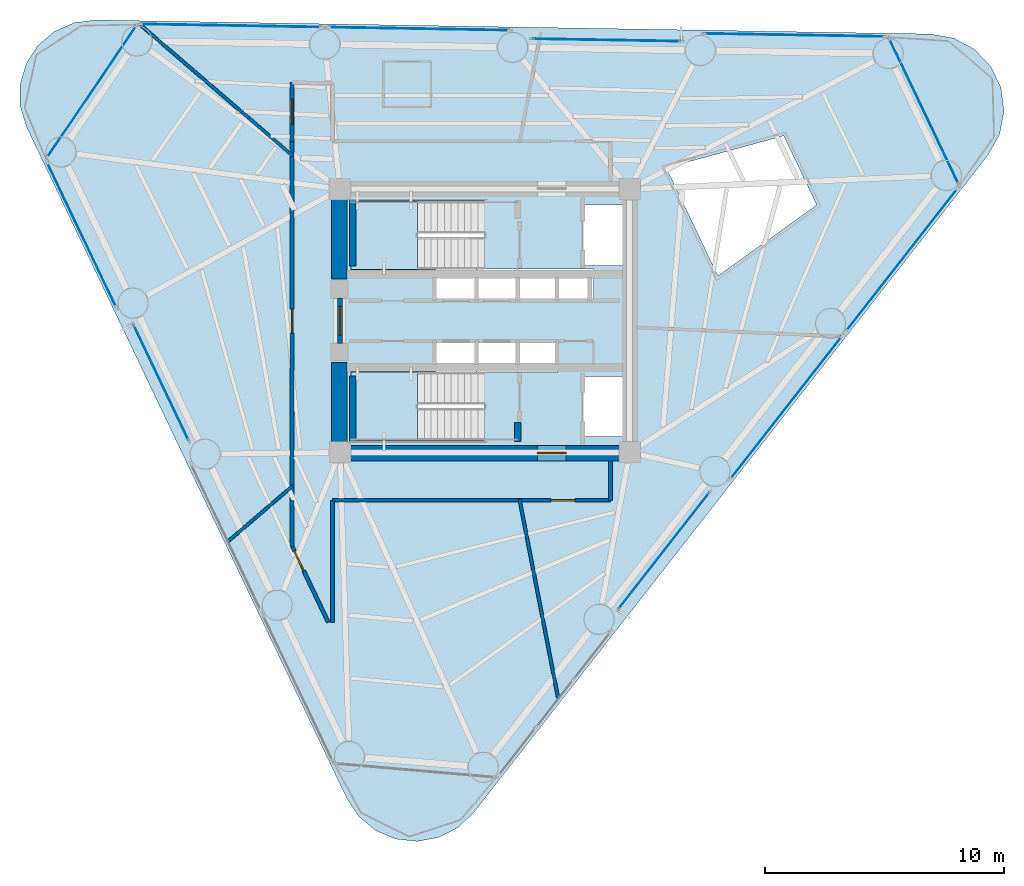
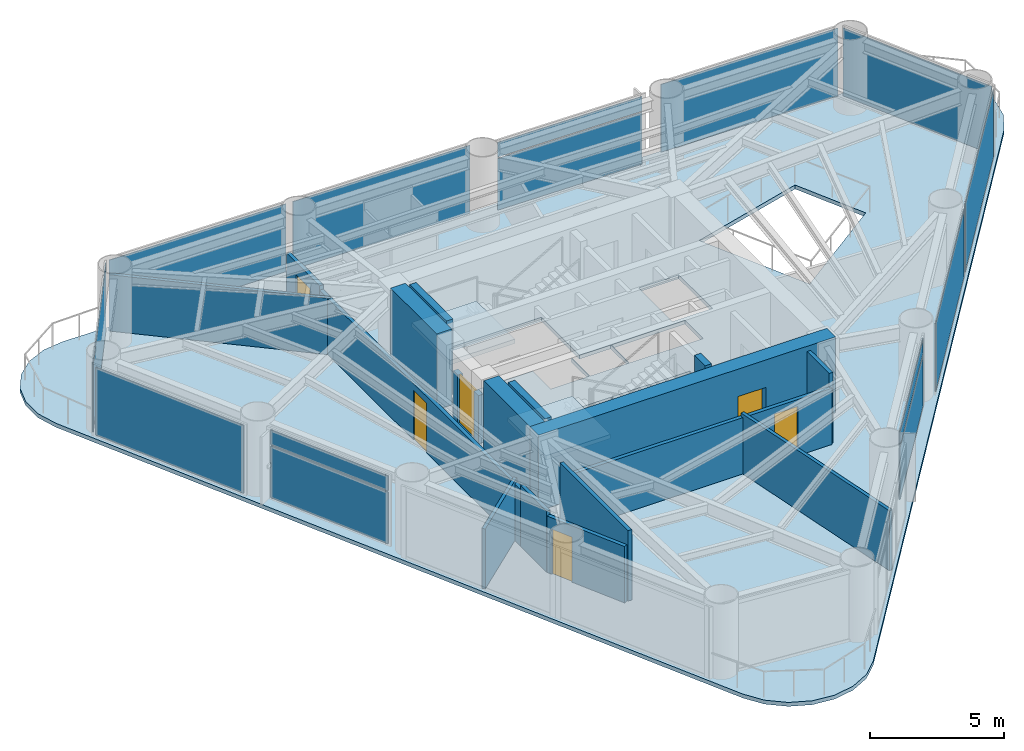
# One storey, part 6 of 11: 17 walls, 14 plates, 6 doors, 3 slabs, 6 openings, 13 elements without a shape of their own.
"""IFC4 building model written with IfcOpenShell, lengths in metres."""

import ifcopenshell
import ifcopenshell.guid

model = None  # the IFC model being written
_history = None  # IfcOwnerHistory: only IFC2X3 demands one
_inside = {}  # id of a spatial element -> (the spatial element, [elements in it])
_under = {}  # id of a project, library or spatial element -> (it, [spatial elements below it])
_declared = {}  # id of a project -> (the project, [libraries it declares])
_typed = {}  # id of a type object -> (the type object, [elements of that type])
_made_of = {}  # id of a material, layer set ... -> (it, [elements and type objects made of it])


def new_model(schema):
    """Start an empty IFC model of exactly this schema.

    Asked for "IFC4X3", IfcOpenShell would pick the latest addendum, in which some entities
    have other attributes; the version numbers below select the first issue.
    IFC2X3 requires an IfcOwnerHistory on every rooted entity: one is made here for all.
    """
    global model, _history
    if schema == "IFC4X3":
        model = ifcopenshell.file(schema_version=(4, 3, 0, 0))
    else:
        model = ifcopenshell.file(schema=schema)
    _inside.clear()
    _under.clear()
    _declared.clear()
    _typed.clear()
    _made_of.clear()
    _history = None
    if model.schema == "IFC2X3":
        org = make("IfcOrganization", Name="unknown")
        user = make(
            "IfcPersonAndOrganization",
            ThePerson=make("IfcPerson", FamilyName="unknown"),
            TheOrganization=org,
        )
        app = make(
            "IfcApplication",
            ApplicationDeveloper=org,
            Version="unknown",
            ApplicationFullName="unknown",
            ApplicationIdentifier="unknown",
        )
        _history = make(
            "IfcOwnerHistory",
            OwningUser=user,
            OwningApplication=app,
            ChangeAction="ADDED",
            CreationDate=0,
        )
    return model


def make(cls, **values):
    """One entity of the class cls with the attributes given. An attribute that is None is left unset."""
    return model.create_entity(
        cls, **{name: value for name, value in values.items() if value is not None}
    )


def rooted(cls, **values):
    """An entity with a GlobalId (a new one), such as an element, a storey or a relation."""
    return make(cls, GlobalId=ifcopenshell.guid.new(), OwnerHistory=_history, **values)


def si_unit(unit_type, name, prefix=None):
    """IfcSIUnit, for example si_unit("LENGTHUNIT", "METRE", prefix="MILLI")."""
    return make("IfcSIUnit", UnitType=unit_type, Prefix=prefix, Name=name)


def assignment(units):
    """IfcUnitAssignment: the units of a project."""
    return None if units is None else make("IfcUnitAssignment", Units=units)


def point(xyz):
    """IfcCartesianPoint."""
    return None if xyz is None else make("IfcCartesianPoint", Coordinates=xyz)


def direction(xyz):
    """IfcDirection."""
    return None if xyz is None else make("IfcDirection", DirectionRatios=xyz)


def frame(location, z_axis=None, x_axis=None):
    """IfcAxis2Placement3D, a coordinate frame: its origin and axes. An axis left out is left unset."""
    return make(
        "IfcAxis2Placement3D",
        Location=point(location),
        Axis=direction(z_axis),
        RefDirection=direction(x_axis),
    )


def frame_2d(location, x_axis=None):
    """IfcAxis2Placement2D, a coordinate frame in the plane: its origin and x axis."""
    return make(
        "IfcAxis2Placement2D", Location=point(location), RefDirection=direction(x_axis)
    )


def origin():
    """The frame at (0, 0, 0) with its axes left unset."""
    return frame((0.0, 0.0, 0.0))


def origin_2d():
    """The frame at (0, 0) in the plane with its x axis left unset."""
    return frame_2d((0.0, 0.0))


def place(relative_to, where):
    """IfcLocalPlacement: puts the frame where relative to a parent placement (None: the world)."""
    return make(
        "IfcLocalPlacement", PlacementRelTo=relative_to, RelativePlacement=where
    )


def context(
    kind, dimensions, precision=None, world=None, true_north=None, identifier=None
):
    """IfcGeometricRepresentationContext, for example the 3D "Model" context."""
    return make(
        "IfcGeometricRepresentationContext",
        ContextIdentifier=identifier,
        ContextType=kind,
        CoordinateSpaceDimension=dimensions,
        Precision=precision,
        WorldCoordinateSystem=world,
        TrueNorth=true_north,
    )


def subcontext(parent, identifier, kind, view, scale=None):
    """IfcGeometricRepresentationSubContext, for example "Body" below "Model"."""
    return make(
        "IfcGeometricRepresentationSubContext",
        ContextIdentifier=identifier,
        ContextType=kind,
        ParentContext=parent,
        TargetScale=scale,
        TargetView=view,
    )


def project(units=None, contexts=None):
    """IfcProject with its units and contexts."""
    return rooted(
        "IfcProject",
        Name="project",
        RepresentationContexts=contexts,
        UnitsInContext=assignment(units),
    )


def spatial(cls, under=None, at=None, **own):
    """A site, building, storey or space (cls), placed at a placement, below another one or the project."""
    s = rooted(cls, ObjectPlacement=at, **own)
    if under is not None:
        _under.setdefault(under.id(), (under, []))[1].append(s)
    return s


def polyline(points):
    """IfcPolyline through the points."""
    return make("IfcPolyline", Points=[point(p) for p in points])


def profile(cls, at=None, kind="AREA", **sizes):
    """A parametric profile (cls). Its sizes go by their IFC names, for example OverallWidth=200.0."""
    return make(cls, ProfileType=kind, Position=at, **sizes)


def rectangle(**sizes):
    """IfcRectangleProfileDef."""
    return profile("IfcRectangleProfileDef", **sizes)


def outline(outer, holes=None, kind="AREA"):
    """IfcArbitraryClosedProfileDef: a profile drawn as a closed curve; with holes, ...WithVoids."""
    if holes is None:
        return make("IfcArbitraryClosedProfileDef", ProfileType=kind, OuterCurve=outer)
    return make(
        "IfcArbitraryProfileDefWithVoids",
        ProfileType=kind,
        OuterCurve=outer,
        InnerCurves=holes,
    )


def extrude(swept, where, along, depth):
    """IfcExtrudedAreaSolid: the profile swept, set in the frame where, extruded along a direction by depth."""
    return make(
        "IfcExtrudedAreaSolid",
        SweptArea=swept,
        Position=where,
        ExtrudedDirection=direction(along),
        Depth=depth,
    )


def shape(context_of_items, identifier, shape_type, items):
    """IfcShapeRepresentation: the items that make up one representation, for example the "Body"."""
    return make(
        "IfcShapeRepresentation",
        ContextOfItems=context_of_items,
        RepresentationIdentifier=identifier,
        RepresentationType=shape_type,
        Items=items,
    )


def source(mapping_origin, context_of_items, identifier, shape_type, items):
    """IfcRepresentationMap: a shape defined once, which mapped items show again and again."""
    return make(
        "IfcRepresentationMap",
        MappingOrigin=mapping_origin,
        MappedRepresentation=shape(context_of_items, identifier, shape_type, items),
    )


def transform(
    local_origin,
    x_axis=None,
    y_axis=None,
    z_axis=None,
    scale=None,
    scale2=None,
    scale3=None,
    uniform=True,
):
    """IfcCartesianTransformationOperator3D, or its non-uniform kind. x_axis, y_axis, z_axis: its Axis1, 2, 3."""
    if uniform:
        return make(
            "IfcCartesianTransformationOperator3D",
            Axis1=direction(x_axis),
            Axis2=direction(y_axis),
            LocalOrigin=point(local_origin),
            Scale=scale,
            Axis3=direction(z_axis),
        )
    return make(
        "IfcCartesianTransformationOperator3DnonUniform",
        Axis1=direction(x_axis),
        Axis2=direction(y_axis),
        LocalOrigin=point(local_origin),
        Scale=scale,
        Axis3=direction(z_axis),
        Scale2=scale2,
        Scale3=scale3,
    )


def mapped(mapping_source, mapping_target):
    """IfcMappedItem: shows the shape of a source again, moved by a transform."""
    return make(
        "IfcMappedItem", MappingSource=mapping_source, MappingTarget=mapping_target
    )


def material(Name=None, Category=None):
    """IfcMaterial."""
    return make("IfcMaterial", Name=Name, Category=Category)


def layer(
    of_material, thickness, ventilated=None, Name=None, Category=None, Priority=None
):
    """IfcMaterialLayer: one layer of a wall or slab, of a material (None: an air gap)."""
    return make(
        "IfcMaterialLayer",
        Material=of_material,
        LayerThickness=thickness,
        IsVentilated=ventilated,
        Name=Name,
        Category=Category,
        Priority=Priority,
    )


def layer_set(layers, Name=None):
    """IfcMaterialLayerSet."""
    return make("IfcMaterialLayerSet", MaterialLayers=layers, LayerSetName=Name)


def made_of(thing, what):
    """Note that an element or type object is made of a material, layer set ...; save() writes the relation."""
    if what is not None:
        _made_of.setdefault(what.id(), (what, []))[1].append(thing)
    return thing


def type_object(cls, material=None, **own):
    """A type object (cls), such as IfcWallType, which elements share."""
    return made_of(rooted(cls, **own), material)


def element(
    cls,
    number,
    at=None,
    inside=None,
    cuts=None,
    type_object=None,
    material=None,
    context=None,
    identifier="Body",
    shape_type=None,
    held_by="IfcProductDefinitionShape",
    body=None,
    shapes=None,
    **own,
):
    """One element of the class cls, such as IfcWall. Its Tag is "e" and its number.

    at: its placement. inside: the storey or other place that contains it. cuts: it is an
    opening in that element (IfcRelVoidsElement). A single representation is given by context,
    identifier, shape_type and body (its items); several are given by shapes. held_by: the class
    of the entity that holds the representations. save() writes the other relations.
    """
    e = rooted(cls, Tag="e%d" % number, ObjectPlacement=at, **own)
    if body is not None:
        shapes = [shape(context, identifier, shape_type, body)]
    if shapes is not None:
        e.Representation = make(held_by, Representations=shapes)
    if inside is not None:
        _inside.setdefault(inside.id(), (inside, []))[1].append(e)
    if cuts is not None:
        rooted(
            "IfcRelVoidsElement", RelatingBuildingElement=cuts, RelatedOpeningElement=e
        )
    if type_object is not None:
        _typed.setdefault(type_object.id(), (type_object, []))[1].append(e)
    return made_of(e, material)


def fill(opening, filler):
    """IfcRelFillsElement: the door or window that sits in an opening."""
    return rooted(
        "IfcRelFillsElement",
        RelatingOpeningElement=opening,
        RelatedBuildingElement=filler,
    )


def aggregate(whole, parts):
    """IfcRelAggregates: a whole, such as a stair, and the parts it consists of."""
    return rooted("IfcRelAggregates", RelatingObject=whole, RelatedObjects=parts)


def save(model, path):
    """Write the relations noted so far, then the file.

    IfcRelAggregates (storeys below a building ...), IfcRelContainedInSpatialStructure (elements
    in a storey), IfcRelDefinesByType, IfcRelAssociatesMaterial and IfcRelDeclares: one each for
    every whole, place, type object, material and project.
    """
    for whole, parts in _under.values():
        aggregate(whole, parts)
    for where, things in _inside.values():
        rooted(
            "IfcRelContainedInSpatialStructure",
            RelatedElements=things,
            RelatingStructure=where,
        )
    for kind, things in _typed.values():
        rooted("IfcRelDefinesByType", RelatedObjects=things, RelatingType=kind)
    for what, things in _made_of.values():
        rooted("IfcRelAssociatesMaterial", RelatedObjects=things, RelatingMaterial=what)
    for by, libraries in _declared.values():
        rooted("IfcRelDeclares", RelatingContext=by, RelatedDefinitions=libraries)
    model.write(path)


model = new_model("IFC4")

# Units and contexts
model_context = context("Model", 3, precision=1e-05, world=origin(), true_north=direction((0.0, 1.0)))
body_context = subcontext(model_context, "Body", "Model", "MODEL_VIEW")
ifc_project = project(units=[si_unit("LENGTHUNIT", "METRE"), si_unit("AREAUNIT", "SQUARE_METRE"), si_unit("VOLUMEUNIT", "CUBIC_METRE"), si_unit("PLANEANGLEUNIT", "RADIAN"), si_unit("MASSUNIT", "GRAM", prefix="KILO")], contexts=[model_context])

# Site, building, storey
site_placement = place(None, origin())
site = spatial("IfcSite", under=ifc_project, at=site_placement, CompositionType="ELEMENT")
building_placement = place(site_placement, origin())
building = spatial("IfcBuilding", under=site, at=building_placement, Name="Yunling Apex Tower", CompositionType="ELEMENT")
storey_placement = place(building_placement, frame((0.0, 0.0, 150.199951171875)))
storey = spatial("IfcBuildingStorey", under=building, at=storey_placement, Name="L37", CompositionType="ELEMENT", Elevation=150.199951171875)

# Slab
ifc_material_1 = material(Name="Concrete C40", Category="concrete")
ifc_layer_1 = layer(ifc_material_1, 0.1650390625)
ifc_layer_set_1 = layer_set([ifc_layer_1], Name="Concrete C40")
slab_type_1 = type_object("IfcSlabType", Name="SL-FLR-2", PredefinedType="FLOOR", material=ifc_layer_set_1)
slab_1_placement = place(storey_placement, frame((0.0, 0.0, -0.179931640625)))
element("IfcSlab", 1, at=slab_1_placement, inside=storey, type_object=slab_type_1, Name="L37 Composite Tower Floor Slab", PredefinedType="FLOOR", context=body_context, shape_type="SweptSolid", body=[
    extrude(outline(polyline([(-5.759765625, -19.970947265625), (-5.255615234375, -20.723388671875), (-4.55712890625, -21.300048828125), (-3.722900390625, -21.652587890625), (-2.82275390625, -21.75146484375), (-1.931884765625, -21.58837890625), (-1.125, -21.17724609375), (-0.469482421875, -20.55224609375), (21.029541015625, 6.926025390625), (21.5078125, 7.7900390625), (21.693115234375, 8.76025390625), (21.566650390625, 9.73974609375), (21.1416015625, 10.631103515625), (20.459716796875, 11.345703125), (19.58935546875, 11.812255859375), (18.616943359375, 11.984375), (-16.267578125, 12.569091796875), (-17.165771484375, 12.453125), (-17.9931640625, 12.084716796875), (-18.680419921875, 11.4951171875), (-19.170166015625, 10.733154296875), (-19.421142578125, 9.86279296875), (-19.41259765625, 8.957275390625), (-19.14501953125, 8.092041015625), (-5.759765625, -19.970947265625)]), holes=[polyline([(12.489013671875, 7.7294921875), (13.86669921875, 4.84130859375), (9.7412109375, 1.87646484375), (7.58837890625, 6.389404296875), (12.489013671875, 7.7294921875)]), polyline([(4.090087890625, -2.320068359375), (5.81005859375, -2.320068359375), (5.81005859375, -4.840087890625), (4.090087890625, -4.840087890625), (4.090087890625, -2.320068359375)]), polyline([(5.81005859375, 4.840087890625), (5.81005859375, 2.320068359375), (4.090087890625, 2.320068359375), (4.090087890625, 4.840087890625), (5.81005859375, 4.840087890625)]), polyline([(1.364990234375, 2.1650390625), (4.534912109375, 2.1650390625), (4.534912109375, 0.794921875), (1.364990234375, 0.794921875), (1.364990234375, 2.1650390625)]), polyline([(3.034912109375, -0.794921875), (3.034912109375, -2.1650390625), (1.364990234375, -2.1650390625), (1.364990234375, -0.794921875), (3.034912109375, -0.794921875)]), polyline([(-2.034912109375, -0.794921875), (-0.364990234375, -0.794921875), (-0.364990234375, -2.139892578125), (-0.3349609375, -2.139892578125), (-0.3349609375, -0.794921875), (1.3349609375, -0.794921875), (1.3349609375, -2.1650390625), (-0.010009765625, -2.1650390625), (-0.010009765625, -5.010009765625), (-5.60009765625, -5.010009765625), (-5.60009765625, -2.139892578125), (-2.034912109375, -2.139892578125), (-2.034912109375, -0.794921875)]), polyline([(-5.60009765625, 2.139892578125), (-5.60009765625, 5.010009765625), (-0.010009765625, 5.010009765625), (-0.010009765625, 2.1650390625), (1.3349609375, 2.1650390625), (1.3349609375, 0.794921875), (-0.3349609375, 0.794921875), (-0.3349609375, 2.139892578125), (-0.364990234375, 2.139892578125), (-0.364990234375, 0.794921875), (-2.034912109375, 0.794921875), (-2.034912109375, 2.139892578125), (-5.60009765625, 2.139892578125)])]), origin(), (0.0, 0.0, 1.0), 0.179931640625),
])

# Stair, slab
stair_type = type_object("IfcStairType", Name="ST-TWR-2", PredefinedType="HALF_TURN_STAIR", material=ifc_material_1)
stair_1_placement = place(storey_placement, origin())
stair_1 = element("IfcStair", 2, at=stair_1_placement, inside=storey, type_object=stair_type, Name="L37 North Core Smokeproof Exit Stair ST-1", PredefinedType="HALF_TURN_STAIR")
ifc_layer_2 = layer(ifc_material_1, 0.195068359375)
ifc_layer_set_2 = layer_set([ifc_layer_2], Name="Concrete C40")
slab_type_2 = type_object("IfcSlabType", Name="SL-LND-1", PredefinedType="LANDING", material=ifc_layer_set_2)
slab_2_placement = place(storey_placement, frame((0.0, 0.0, 1.530029296875)))
slab_2 = element("IfcSlab", 3, at=slab_2_placement, type_object=slab_type_2, Name="ST-1 landing 1", PredefinedType="LANDING", context=body_context, shape_type="SweptSolid", body=[
    extrude(outline(polyline([(-2.81005859375, 5.010009765625), (-5.60009765625, 5.010009765625), (-5.60009765625, 2.139892578125), (-2.81005859375, 2.139892578125), (-2.81005859375, 5.010009765625)])), origin(), (0.0, 0.0, 1.0), 0.195068359375),
])
aggregate(stair_1, [slab_2])

stair_2_placement = place(storey_placement, origin())
stair_2 = element("IfcStair", 4, at=stair_2_placement, inside=storey, type_object=stair_type, Name="L37 South Core Smokeproof Exit Stair ST-2", PredefinedType="HALF_TURN_STAIR")
slab_3_placement = place(storey_placement, frame((0.0, 0.0, 1.530029296875)))
slab_3 = element("IfcSlab", 5, at=slab_3_placement, type_object=slab_type_2, Name="ST-2 landing 1", PredefinedType="LANDING", context=body_context, shape_type="SweptSolid", body=[
    extrude(outline(polyline([(-2.81005859375, -2.139892578125), (-5.60009765625, -2.139892578125), (-5.60009765625, -5.010009765625), (-2.81005859375, -5.010009765625), (-2.81005859375, -2.139892578125)])), origin(), (0.0, 0.0, 1.0), 0.195068359375),
])
aggregate(stair_2, [slab_3])

# Curtain wall, plates
ifc_material_2 = material(Name="Bronze anodised aluminium", Category="aluminium")
ifc_layer_3 = layer(ifc_material_2, 0.239990234375)
ifc_layer_set_3 = layer_set([ifc_layer_3], Name="Bronze anodised aluminium")
curtain_wall_type = type_object("IfcCurtainWallType", Name="CW-SYS-3", PredefinedType="NOTDEFINED", material=ifc_layer_set_3)
curtain_wall_1_placement = place(storey_placement, origin())
curtain_wall_1 = element("IfcCurtainWall", 6, at=curtain_wall_1_placement, inside=storey, type_object=curtain_wall_type, Name="CW-L37-F1-B2", PredefinedType="NOTDEFINED")
ifc_material_3 = material(Name="Bronze tinted low-E glass", Category="glass")
ifc_layer_4 = layer(ifc_material_3, 0.031982421875)
ifc_layer_set_4 = layer_set([ifc_layer_4], Name="Bronze tinted low-E glass")
plate_type = type_object("IfcPlateType", Name="CW-PNL-3", PredefinedType="CURTAIN_PANEL", material=ifc_layer_set_4)
shared_shape_1 = source(origin(), body_context, "Body", "SweptSolid", [
    extrude(rectangle(XDim=6.166015625, YDim=0.031982421875, at=origin_2d()), origin(), (0.0, 0.0, 1.0), 2.350830078125),
])
plate_1_placement = place(storey_placement, frame((7.4833984375, -9.608642578125, 0.072265625), z_axis=(0.0, 0.0, 1.0), x_axis=(0.616199292419, 0.787590269126, 0.0)))
plate_1 = element("IfcPlate", 7, at=plate_1_placement, type_object=plate_type, Name="CW-SYS-3 panel 1.1", PredefinedType="CURTAIN_PANEL", context=body_context, shape_type="MappedRepresentation", body=[
    mapped(shared_shape_1, transform((0.0, 0.0, 0.0), scale=1.0)),
])
shared_shape_2 = source(origin(), body_context, "Body", "SweptSolid", [
    extrude(rectangle(XDim=6.166015625, YDim=0.031982421875, at=origin_2d()), origin(), (0.0, 0.0, 1.0), 0.671142578125),
])
plate_2_placement = place(storey_placement, frame((7.4833984375, -9.608642578125, 2.48681640625), z_axis=(0.0, 0.0, 1.0), x_axis=(0.616199292419, 0.787590269126, 0.0)))
plate_2 = element("IfcPlate", 8, at=plate_2_placement, type_object=plate_type, Name="CW-SYS-3 panel 1.2", PredefinedType="CURTAIN_PANEL", context=body_context, shape_type="MappedRepresentation", body=[
    mapped(shared_shape_2, transform((0.0, 0.0, 0.0), scale=1.0)),
])
aggregate(curtain_wall_1, [plate_1, plate_2])

# Curtain wall, plate
curtain_wall_2_placement = place(storey_placement, origin())
curtain_wall_2 = element("IfcCurtainWall", 9, at=curtain_wall_2_placement, inside=storey, type_object=curtain_wall_type, Name="CW-L37-F1-B3", PredefinedType="NOTDEFINED")
shared_shape_3 = source(origin(), body_context, "Body", "SweptSolid", [
    extrude(rectangle(XDim=7.546142578125, YDim=0.031982421875, at=origin_2d()), origin(), (0.0, 0.0, 1.0), 3.0859375),
])
plate_3_placement = place(storey_placement, frame((12.58837890625, -3.635498046875, 0.072021484375), z_axis=(0.0, 0.0, 1.0), x_axis=(0.616207626377, 0.787583748686, 0.0)))
plate_3 = element("IfcPlate", 10, at=plate_3_placement, type_object=plate_type, Name="CW-SYS-3 panel 1.1", PredefinedType="CURTAIN_PANEL", context=body_context, shape_type="MappedRepresentation", body=[
    mapped(shared_shape_3, transform((0.0, 0.0, 0.0), scale=1.0)),
])
aggregate(curtain_wall_2, [plate_3])

curtain_wall_3_placement = place(storey_placement, origin())
curtain_wall_3 = element("IfcCurtainWall", 11, at=curtain_wall_3_placement, inside=storey, type_object=curtain_wall_type, Name="CW-L37-F1-B4", PredefinedType="NOTDEFINED")
plate_4_placement = place(storey_placement, frame((17.425537109375, 2.547119140625, 0.072021484375), z_axis=(0.0, 0.0, 1.0), x_axis=(0.616207626377, 0.787583748686, 0.0)))
plate_4 = element("IfcPlate", 12, at=plate_4_placement, type_object=plate_type, Name="CW-SYS-3 panel 1.1", PredefinedType="CURTAIN_PANEL", context=body_context, shape_type="MappedRepresentation", body=[
    mapped(shared_shape_3, transform((0.0, 0.0, 0.0), scale=1.0)),
])
aggregate(curtain_wall_3, [plate_4])

curtain_wall_4_placement = place(storey_placement, origin())
curtain_wall_4 = element("IfcCurtainWall", 13, at=curtain_wall_4_placement, inside=storey, type_object=curtain_wall_type, Name="CW-L37-F2-B1", PredefinedType="NOTDEFINED")
plate_5_placement = place(storey_placement, frame((12.94580078125, 11.939453125, 0.072021484375), z_axis=(0.0, 0.0, 1.0), x_axis=(-0.99985951392, 0.016761635477, 0.0)))
plate_5 = element("IfcPlate", 14, at=plate_5_placement, type_object=plate_type, Name="CW-SYS-3 panel 1.1", PredefinedType="CURTAIN_PANEL", context=body_context, shape_type="MappedRepresentation", body=[
    mapped(shared_shape_3, transform((0.0, 0.0, 0.0), scale=1.0)),
])
aggregate(curtain_wall_4, [plate_5])

curtain_wall_5_placement = place(storey_placement, origin())
curtain_wall_5 = element("IfcCurtainWall", 15, at=curtain_wall_5_placement, inside=storey, type_object=curtain_wall_type, Name="CW-L37-F2-B3", PredefinedType="NOTDEFINED")
plate_6_placement = place(storey_placement, frame((-2.752197265625, 12.20263671875, 0.072021484375), z_axis=(0.0, 0.0, 1.0), x_axis=(-0.99985951392, 0.016761635477, 0.0)))
plate_6 = element("IfcPlate", 16, at=plate_6_placement, type_object=plate_type, Name="CW-SYS-3 panel 1.1", PredefinedType="CURTAIN_PANEL", context=body_context, shape_type="MappedRepresentation", body=[
    mapped(shared_shape_3, transform((0.0, 0.0, 0.0), scale=1.0)),
])
aggregate(curtain_wall_5, [plate_6])

curtain_wall_6_placement = place(storey_placement, origin())
curtain_wall_6 = element("IfcCurtainWall", 17, at=curtain_wall_6_placement, inside=storey, type_object=curtain_wall_type, Name="CW-L37-F2-B4", PredefinedType="NOTDEFINED")
plate_7_placement = place(storey_placement, frame((-10.60107421875, 12.334228515625, 0.072021484375), z_axis=(0.0, 0.0, 1.0), x_axis=(-0.99985951392, 0.016761635477, 0.0)))
plate_7 = element("IfcPlate", 18, at=plate_7_placement, type_object=plate_type, Name="CW-SYS-3 panel 1.1", PredefinedType="CURTAIN_PANEL", context=body_context, shape_type="MappedRepresentation", body=[
    mapped(shared_shape_3, transform((0.0, 0.0, 0.0), scale=1.0)),
])
aggregate(curtain_wall_6, [plate_7])

curtain_wall_7_placement = place(storey_placement, origin())
curtain_wall_7 = element("IfcCurtainWall", 19, at=curtain_wall_7_placement, inside=storey, type_object=curtain_wall_type, Name="CW-L37-CRN1", PredefinedType="NOTDEFINED")
shared_shape_4 = source(origin(), body_context, "Body", "SweptSolid", [
    extrude(rectangle(XDim=6.728271484375, YDim=0.031982421875, at=origin_2d()), origin(), (0.0, 0.0, 1.0), 3.0859375),
])
plate_8_placement = place(storey_placement, frame((18.349365234375, 8.752197265625, 0.072021484375), z_axis=(0.0, 0.0, 1.0), x_axis=(-0.430518667458, 0.902581673296, 0.0)))
plate_8 = element("IfcPlate", 20, at=plate_8_placement, type_object=plate_type, Name="CW-SYS-3 panel 1.1", PredefinedType="CURTAIN_PANEL", context=body_context, shape_type="MappedRepresentation", body=[
    mapped(shared_shape_4, transform((0.0, 0.0, 0.0), scale=1.0)),
])
aggregate(curtain_wall_7, [plate_8])

# Curtain wall, plates
curtain_wall_8_placement = place(storey_placement, origin())
curtain_wall_8 = element("IfcCurtainWall", 21, at=curtain_wall_8_placement, inside=storey, type_object=curtain_wall_type, Name="CW-L37-F2-B2", PredefinedType="NOTDEFINED")
shared_shape_5 = source(origin(), body_context, "Body", "SweptSolid", [
    extrude(rectangle(XDim=6.166259765625, YDim=0.031982421875, at=origin_2d()), origin(), (0.0, 0.0, 1.0), 2.350830078125),
])
plate_9_placement = place(storey_placement, frame((5.091064453125, 11.73095703125, 0.072265625), z_axis=(0.0, 0.0, 1.0), x_axis=(-0.999859431696, 0.016766539529, 0.0)))
plate_9 = element("IfcPlate", 22, at=plate_9_placement, type_object=plate_type, Name="CW-SYS-3 panel 1.1", PredefinedType="CURTAIN_PANEL", context=body_context, shape_type="MappedRepresentation", body=[
    mapped(shared_shape_5, transform((0.0, 0.0, 0.0), scale=1.0)),
])
shared_shape_6 = source(origin(), body_context, "Body", "SweptSolid", [
    extrude(rectangle(XDim=6.166259765625, YDim=0.031982421875, at=origin_2d()), origin(), (0.0, 0.0, 1.0), 0.671142578125),
])
plate_10_placement = place(storey_placement, frame((5.091064453125, 11.73095703125, 2.48681640625), z_axis=(0.0, 0.0, 1.0), x_axis=(-0.999859431696, 0.016766539529, 0.0)))
plate_10 = element("IfcPlate", 23, at=plate_10_placement, type_object=plate_type, Name="CW-SYS-3 panel 1.2", PredefinedType="CURTAIN_PANEL", context=body_context, shape_type="MappedRepresentation", body=[
    mapped(shared_shape_6, transform((0.0, 0.0, 0.0), scale=1.0)),
])
aggregate(curtain_wall_8, [plate_9, plate_10])

# Curtain wall, plate
curtain_wall_9_placement = place(storey_placement, origin())
curtain_wall_9 = element("IfcCurtainWall", 24, at=curtain_wall_9_placement, inside=storey, type_object=curtain_wall_type, Name="CW-L37-CRN2", PredefinedType="NOTDEFINED")
shared_shape_7 = source(origin(), body_context, "Body", "SweptSolid", [
    extrude(rectangle(XDim=6.644775390625, YDim=0.031982421875, at=origin_2d()), origin(), (0.0, 0.0, 1.0), 3.0859375),
])
plate_11_placement = place(storey_placement, frame((-16.4287109375, 9.56884765625, 0.072021484375), z_axis=(0.0, 0.0, 1.0), x_axis=(-0.560523052964, -0.82813882115, 0.0)))
plate_11 = element("IfcPlate", 25, at=plate_11_placement, type_object=plate_type, Name="CW-SYS-3 panel 1.1", PredefinedType="CURTAIN_PANEL", context=body_context, shape_type="MappedRepresentation", body=[
    mapped(shared_shape_7, transform((0.0, 0.0, 0.0), scale=1.0)),
])
aggregate(curtain_wall_9, [plate_11])

curtain_wall_10_placement = place(storey_placement, origin())
curtain_wall_10 = element("IfcCurtainWall", 26, at=curtain_wall_10_placement, inside=storey, type_object=curtain_wall_type, Name="CW-L37-F3-B1", PredefinedType="NOTDEFINED")
shared_shape_8 = source(origin(), body_context, "Body", "SweptSolid", [
    extrude(rectangle(XDim=6.691650390625, YDim=0.031982421875, at=origin_2d()), origin(), (0.0, 0.0, 1.0), 3.0859375),
])
plate_12_placement = place(storey_placement, frame((-16.843505859375, 3.592041015625, 0.072021484375), z_axis=(0.0, 0.0, 1.0), x_axis=(0.4305058957, -0.902587765133, 0.0)))
plate_12 = element("IfcPlate", 27, at=plate_12_placement, type_object=plate_type, Name="CW-SYS-3 panel 1.1", PredefinedType="CURTAIN_PANEL", context=body_context, shape_type="MappedRepresentation", body=[
    mapped(shared_shape_8, transform((0.0, 0.0, 0.0), scale=1.0)),
])
aggregate(curtain_wall_10, [plate_12])

# Curtain wall, plates
curtain_wall_11_placement = place(storey_placement, origin())
curtain_wall_11 = element("IfcCurtainWall", 28, at=curtain_wall_11_placement, inside=storey, type_object=curtain_wall_type, Name="CW-L37-F3-B2", PredefinedType="NOTDEFINED")
shared_shape_9 = source(origin(), body_context, "Body", "SweptSolid", [
    extrude(rectangle(XDim=5.311767578125, YDim=0.031982421875, at=origin_2d()), origin(), (0.0, 0.0, 1.0), 2.350830078125),
])
plate_13_placement = place(storey_placement, frame((-13.52490234375, -2.57568359375, 0.072265625), z_axis=(0.0, 0.0, 1.0), x_axis=(0.430522606859, -0.902579794247, 0.0)))
plate_13 = element("IfcPlate", 29, at=plate_13_placement, type_object=plate_type, Name="CW-SYS-3 panel 1.1", PredefinedType="CURTAIN_PANEL", context=body_context, shape_type="MappedRepresentation", body=[
    mapped(shared_shape_9, transform((0.0, 0.0, 0.0), scale=1.0)),
])
shared_shape_10 = source(origin(), body_context, "Body", "SweptSolid", [
    extrude(rectangle(XDim=5.311767578125, YDim=0.031982421875, at=origin_2d()), origin(), (0.0, 0.0, 1.0), 0.671142578125),
])
plate_14_placement = place(storey_placement, frame((-13.52490234375, -2.57568359375, 2.48681640625), z_axis=(0.0, 0.0, 1.0), x_axis=(0.430522606859, -0.902579794247, 0.0)))
plate_14 = element("IfcPlate", 30, at=plate_14_placement, type_object=plate_type, Name="CW-SYS-3 panel 1.2", PredefinedType="CURTAIN_PANEL", context=body_context, shape_type="MappedRepresentation", body=[
    mapped(shared_shape_10, transform((0.0, 0.0, 0.0), scale=1.0)),
])
aggregate(curtain_wall_11, [plate_13, plate_14])

# Wall, opening, door
ifc_material_4 = material(Name="Concrete C50", Category="concrete")
ifc_layer_5 = layer(ifc_material_4, 0.64990234375)
ifc_layer_set_5 = layer_set([ifc_layer_5], Name="Concrete C50")
wall_type_1 = type_object("IfcWallType", Name="WL-COR-2", PredefinedType="SHEAR", material=ifc_layer_set_5)
wall_1_placement = place(storey_placement, frame((-6.39990234375, -5.52490234375, 0.0), z_axis=(0.0, 0.0, 1.0), x_axis=(1.0, 0.0, 0.0)))
wall_1 = element("IfcWall", 31, at=wall_1_placement, inside=storey, type_object=wall_type_1, Name="L37 South Core Shear Wall", PredefinedType="SHEAR", context=body_context, shape_type="SweptSolid", body=[
    extrude(rectangle(XDim=12.7998046875, YDim=0.64990234375, at=frame_2d((6.39990234375, 0.0))), origin(), (0.0, 0.0, 1.0), 3.449951171875),
])
opening_1_placement = place(wall_1_placement, frame((8.60009765625, 0.0, 0.0)))
opening_1 = element("IfcOpeningElement", 32, at=opening_1_placement, cuts=wall_1, Name="Opening DR-FFL-1", PredefinedType="OPENING", context=body_context, shape_type="SweptSolid", body=[
    extrude(rectangle(XDim=1.199951171875, YDim=2.199951171875, at=frame_2d((0.60009765625, 1.10009765625))), frame((0.0, 0.3349609375, 0.0), z_axis=(0.0, -1.0, 0.0), x_axis=(1.0, 0.0, 0.0)), (0.0, 0.0, 1.0), 0.669921875),
])
ifc_material_5 = material(Name="Steel Q355B", Category="steel")
door_type_1 = type_object("IfcDoorType", Name="DR-FFL-1", OperationType="NOTDEFINED", PredefinedType="DOOR", material=ifc_material_5)
door_1_placement = place(opening_1_placement, origin())
door_1 = element("IfcDoor", 33, at=door_1_placement, inside=storey, type_object=door_type_1, Name="L37 South Firefighting Lobby Door", OperationType="SINGLE_SWING_RIGHT", OverallHeight=2.199951171875, OverallWidth=1.199951171875, PredefinedType="DOOR", context=body_context, shape_type="SweptSolid", body=[
    extrude(rectangle(XDim=1.199951171875, YDim=2.199951171875, at=frame_2d((0.60009765625, 1.10009765625))), frame((0.0, 0.02490234375, 0.0), z_axis=(0.0, -1.0, 0.0), x_axis=(1.0, 0.0, 0.0)), (0.0, 0.0, 1.0), 0.050048828125),
])
fill(opening_1, door_1)

# Walls
for number, where, z_axis, x_axis, name in (
    (34, (-6.074951171875, -5.199951171875, 0.0), (0.0, 0.0, 1.0), (0.0, 1.0, 0.0), "L37 West-South Core Shear Wall"),
    (35, (-6.074951171875, 1.75, 0.0), (0.0, 0.0, 1.0), (0.0, 1.0, 0.0), "L37 West-North Core Shear Wall"),
):
    element("IfcWall", number, at=place(storey_placement, frame(where, z_axis=z_axis, x_axis=x_axis)), inside=storey, type_object=wall_type_1, Name=name, PredefinedType="SHEAR", context=body_context, shape_type="SweptSolid", body=[
        extrude(rectangle(XDim=3.449951171875, YDim=0.64990234375, at=frame_2d((1.72509765625, 0.0))), origin(), (0.0, 0.0, 1.0), 3.449951171875),
    ])
ifc_layer_6 = layer(ifc_material_1, 0.280029296875)
ifc_layer_set_6 = layer_set([ifc_layer_6], Name="Concrete C40")
wall_type_2 = type_object("IfcWallType", Name="WL-COR-8", PredefinedType="SHEAR", material=ifc_layer_set_6)
for number, where, z_axis, x_axis, name in (
    (36, (-5.52001953125, 2.300048828125, 0.0), (0.0, 0.0, 1.0), (0.0, 1.0, 0.0), "L37 ST-1 West Landing Bearing Wall"),
    (37, (-5.52001953125, -5.050048828125, 0.0), (0.0, 0.0, 1.0), (0.0, 1.0, 0.0), "L37 ST-2 West Landing Bearing Wall"),
):
    element("IfcWall", number, at=place(storey_placement, frame(where, z_axis=z_axis, x_axis=x_axis)), inside=storey, type_object=wall_type_2, Name=name, PredefinedType="SHEAR", context=body_context, shape_type="SweptSolid", body=[
        extrude(rectangle(XDim=2.75, YDim=0.280029296875, at=frame_2d((1.375, 0.0))), origin(), (0.0, 0.0, 1.0), 3.449951171875),
    ])
wall_2_placement = place(storey_placement, frame((1.3798828125, -5.050048828125, 0.0), z_axis=(0.0, 0.0, 1.0), x_axis=(0.0, 1.0, 0.0)))
element("IfcWall", 38, at=wall_2_placement, inside=storey, type_object=wall_type_2, Name="L37 ST-2 East Landing Bearing Pier", PredefinedType="SHEAR", context=body_context, shape_type="SweptSolid", body=[
    extrude(rectangle(XDim=0.800048828125, YDim=0.280029296875, at=frame_2d((0.39990234375, 0.0))), origin(), (0.0, 0.0, 1.0), 3.449951171875),
])

# Wall, opening, door
ifc_material_6 = material(Name="Gypsum board acoustic partition")
ifc_layer_7 = layer(ifc_material_6, 0.159912109375)
ifc_layer_set_7 = layer_set([ifc_layer_7], Name="Gypsum board acoustic partition")
wall_type_3 = type_object("IfcWallType", Name="WL-PRT-1", PredefinedType="PARTITIONING", material=ifc_layer_set_7)
wall_3_placement = place(storey_placement, frame((-6.538818359375, -12.60009765625, 0.0), z_axis=(0.0, 0.0, 1.0), x_axis=(-0.430527444218, 0.902577486853, 0.0)))
wall_3 = element("IfcWall", 39, at=wall_3_placement, inside=storey, type_object=wall_type_3, Name="WL-CORR-L37-01", PredefinedType="PARTITIONING", context=body_context, shape_type="SweptSolid", body=[
    extrude(rectangle(XDim=3.51025390625, YDim=0.159912109375, at=frame_2d((1.755126953125, 0.0))), origin(), (0.0, 0.0, 1.0), 2.56494140625),
])
opening_2_placement = place(wall_3_placement, frame((2.389892578125, 0.0, 0.0)))
opening_2 = element("IfcOpeningElement", 40, at=opening_2_placement, cuts=wall_3, Name="Opening DR-SHF-1", PredefinedType="OPENING", context=body_context, shape_type="SweptSolid", body=[
    extrude(rectangle(XDim=0.89990234375, YDim=2.050048828125, at=frame_2d((0.449951171875, 1.02490234375))), frame((0.0, 0.08984375, 0.0), z_axis=(0.0, -1.0, 0.0), x_axis=(1.0, 0.0, 0.0)), (0.0, 0.0, 1.0), 0.179931640625),
])
door_type_2 = type_object("IfcDoorType", Name="DR-SHF-1", OperationType="NOTDEFINED", PredefinedType="DOOR", material=ifc_material_5)
door_2_placement = place(opening_2_placement, origin())
door_2 = element("IfcDoor", 41, at=door_2_placement, inside=storey, type_object=door_type_2, Name="L37 Housekeeping Room Door", OperationType="SINGLE_SWING_LEFT", OverallHeight=2.050048828125, OverallWidth=0.89990234375, PredefinedType="DOOR", context=body_context, shape_type="SweptSolid", body=[
    extrude(rectangle(XDim=0.89990234375, YDim=2.050048828125, at=frame_2d((0.449951171875, 1.02490234375))), frame((0.0, 0.02490234375, 0.0), z_axis=(0.0, -1.0, 0.0), x_axis=(1.0, 0.0, 0.0)), (0.0, 0.0, 1.0), 0.050048828125),
])
fill(opening_2, door_2)

# Wall
wall_4_placement = place(storey_placement, frame((-8.050048828125, -9.431884765625, 0.0), z_axis=(0.0, 0.0, 1.0), x_axis=(0.0, 1.0, 0.0)))
element("IfcWall", 42, at=wall_4_placement, inside=storey, type_object=wall_type_3, Name="WL-CORR-L37-02", PredefinedType="PARTITIONING", context=body_context, shape_type="SweptSolid", body=[
    extrude(rectangle(XDim=1.931884765625, YDim=0.159912109375, at=frame_2d((0.9658203125, 0.0))), origin(), (0.0, 0.0, 1.0), 2.76513671875),
])

# Wall, opening, door
wall_5_placement = place(storey_placement, frame((-8.050048828125, -7.5, 0.0), z_axis=(0.0, 0.0, 1.0), x_axis=(0.0, 1.0, 0.0)))
wall_5 = element("IfcWall", 43, at=wall_5_placement, inside=storey, type_object=wall_type_3, Name="WL-CORR-L37-03", PredefinedType="PARTITIONING", context=body_context, shape_type="SweptSolid", body=[
    extrude(rectangle(XDim=15.0, YDim=0.159912109375, at=frame_2d((7.5, 0.0))), origin(), (0.0, 0.0, 1.0), 2.56494140625),
])
opening_3_placement = place(wall_5_placement, frame((7.0, 0.0, 0.0)))
opening_3 = element("IfcOpeningElement", 44, at=opening_3_placement, cuts=wall_5, Name="Opening DR-OFF-1", PredefinedType="OPENING", context=body_context, shape_type="SweptSolid", body=[
    extrude(rectangle(XDim=1.0, YDim=2.25, at=frame_2d((0.5, 1.125))), frame((0.0, 0.08984375, 0.0), z_axis=(0.0, -1.0, 0.0), x_axis=(1.0, 0.0, 0.0)), (0.0, 0.0, 1.0), 0.179931640625),
])
door_type_3 = type_object("IfcDoorType", Name="DR-OFF-1", OperationType="NOTDEFINED", PredefinedType="DOOR", material=ifc_material_2)
door_3_placement = place(opening_3_placement, origin())
door_3 = element("IfcDoor", 45, at=door_3_placement, inside=storey, type_object=door_type_3, Name="L37 Club Lounge Door", OperationType="SINGLE_SWING_RIGHT", OverallHeight=2.25, OverallWidth=1.0, PredefinedType="DOOR", context=body_context, shape_type="SweptSolid", body=[
    extrude(rectangle(XDim=1.0, YDim=2.25, at=frame_2d((0.5, 1.125))), frame((0.0, 0.02490234375, 0.0), z_axis=(0.0, -1.0, 0.0), x_axis=(1.0, 0.0, 0.0)), (0.0, 0.0, 1.0), 0.050048828125),
])
fill(opening_3, door_3)

wall_6_placement = place(storey_placement, frame((-8.050048828125, 7.5, 0.0), z_axis=(0.0, 0.0, 1.0), x_axis=(0.0, 1.0, 0.0)))
wall_6 = element("IfcWall", 46, at=wall_6_placement, inside=storey, type_object=wall_type_3, Name="WL-CORR-L37-04", PredefinedType="PARTITIONING", context=body_context, shape_type="SweptSolid", body=[
    extrude(rectangle(XDim=2.4609375, YDim=0.159912109375, at=frame_2d((1.23046875, 0.0))), origin(), (0.0, 0.0, 1.0), 2.76513671875),
])
opening_4_placement = place(wall_6_placement, frame((0.70556640625, 0.0, 0.0)))
opening_4 = element("IfcOpeningElement", 47, at=opening_4_placement, cuts=wall_6, Name="Opening DR-FL-1", PredefinedType="OPENING", context=body_context, shape_type="SweptSolid", body=[
    extrude(rectangle(XDim=1.050048828125, YDim=2.199951171875, at=frame_2d((0.52490234375, 1.10009765625))), frame((0.0, 0.08984375, 0.0), z_axis=(0.0, -1.0, 0.0), x_axis=(1.0, 0.0, 0.0)), (0.0, 0.0, 1.0), 0.179931640625),
])
ifc_material_7 = material(Name="Timber fire-rated leaf", Category="wood")
door_type_4 = type_object("IfcDoorType", Name="DR-FL-1", OperationType="NOTDEFINED", PredefinedType="DOOR", material=ifc_material_7)
door_4_placement = place(opening_4_placement, origin())
door_4 = element("IfcDoor", 48, at=door_4_placement, inside=storey, type_object=door_type_4, Name="L37 Hotel Suite Door", OperationType="SINGLE_SWING_LEFT", OverallHeight=2.199951171875, OverallWidth=1.050048828125, PredefinedType="DOOR", context=body_context, shape_type="SweptSolid", body=[
    extrude(rectangle(XDim=1.050048828125, YDim=2.199951171875, at=frame_2d((0.52490234375, 1.10009765625))), frame((0.0, 0.02490234375, 0.0), z_axis=(0.0, -1.0, 0.0), x_axis=(1.0, 0.0, 0.0)), (0.0, 0.0, 1.0), 0.050048828125),
])
fill(opening_4, door_4)

# Wall
wall_7_placement = place(storey_placement, frame((5.25, -5.85009765625, 0.0), z_axis=(0.0, 0.0, 1.0), x_axis=(0.0, -1.0, 0.0)))
element("IfcWall", 49, at=wall_7_placement, inside=storey, type_object=wall_type_3, Name="WL-CORR-L37-09", PredefinedType="PARTITIONING", context=body_context, shape_type="SweptSolid", body=[
    extrude(rectangle(XDim=1.64990234375, YDim=0.159912109375, at=frame_2d((0.824951171875, 0.0))), origin(), (0.0, 0.0, 1.0), 3.2099609375),
])

# Wall, opening, door
wall_8_placement = place(storey_placement, frame((5.25, -7.5, 0.0), z_axis=(0.0, 0.0, 1.0), x_axis=(-1.0, 0.0, 0.0)))
wall_8 = element("IfcWall", 50, at=wall_8_placement, inside=storey, type_object=wall_type_3, Name="WL-CORR-L37-10", PredefinedType="PARTITIONING", context=body_context, shape_type="SweptSolid", body=[
    extrude(rectangle(XDim=11.610107421875, YDim=0.159912109375, at=frame_2d((5.80517578125, 0.0))), origin(), (0.0, 0.0, 1.0), 2.56494140625),
])
opening_5_placement = place(wall_8_placement, frame((1.481689453125, 0.0, 0.0)))
opening_5 = element("IfcOpeningElement", 51, at=opening_5_placement, cuts=wall_8, Name="Opening DR-OFF-1", PredefinedType="OPENING", context=body_context, shape_type="SweptSolid", body=[
    extrude(rectangle(XDim=1.0, YDim=2.25, at=frame_2d((0.5, 1.125))), frame((0.0, 0.08984375, 0.0), z_axis=(0.0, -1.0, 0.0), x_axis=(1.0, 0.0, 0.0)), (0.0, 0.0, 1.0), 0.179931640625),
])
door_5_placement = place(opening_5_placement, origin())
door_5 = element("IfcDoor", 52, at=door_5_placement, inside=storey, type_object=door_type_3, Name="L37 Guest Pantry Kitchen Door", OperationType="SINGLE_SWING_LEFT", OverallHeight=2.25, OverallWidth=1.0, PredefinedType="DOOR", context=body_context, shape_type="SweptSolid", body=[
    extrude(rectangle(XDim=1.0, YDim=2.25, at=frame_2d((0.5, 1.125))), frame((0.0, 0.02490234375, 0.0), z_axis=(0.0, -1.0, 0.0), x_axis=(1.0, 0.0, 0.0)), (0.0, 0.0, 1.0), 0.050048828125),
])
fill(opening_5, door_5)

# Walls
wall_9_placement = place(storey_placement, frame((-6.360107421875, -7.5, 0.0), z_axis=(0.0, 0.0, 1.0), x_axis=(0.0, -1.0, 0.0)))
element("IfcWall", 53, at=wall_9_placement, inside=storey, type_object=wall_type_3, Name="WL-CORR-L37-11", PredefinedType="PARTITIONING", context=body_context, shape_type="SweptSolid", body=[
    extrude(rectangle(XDim=5.10009765625, YDim=0.159912109375, at=frame_2d((2.550048828125, 0.0))), origin(), (0.0, 0.0, 1.0), 3.2099609375),
])
ifc_layer_8 = layer(ifc_material_6, 0.139892578125)
ifc_layer_set_8 = layer_set([ifc_layer_8], Name="Gypsum board acoustic partition")
wall_type_4 = type_object("IfcWallType", Name="WL-PRT-2", PredefinedType="PARTITIONING", material=ifc_layer_set_8)
wall_10_placement = place(storey_placement, frame((-8.010009765625, 6.881591796875, 0.0), z_axis=(0.0, 0.0, 1.0), x_axis=(-0.758515743862, 0.651654714026, 0.0)))
element("IfcWall", 54, at=wall_10_placement, inside=storey, type_object=wall_type_4, Name="WL-RAD-L37-03", PredefinedType="PARTITIONING", context=body_context, shape_type="SweptSolid", body=[
    extrude(rectangle(XDim=8.403076171875, YDim=0.139892578125, at=frame_2d((4.20166015625, 0.0))), origin(), (0.0, 0.0, 1.0), 2.56494140625),
])
wall_11_placement = place(storey_placement, frame((-8.010009765625, -6.881591796875, 0.0), z_axis=(0.0, 0.0, 1.0), x_axis=(-0.75852259091, -0.651646744087, 0.0)))
element("IfcWall", 55, at=wall_11_placement, inside=storey, type_object=wall_type_4, Name="WL-RAD-L37-04", PredefinedType="PARTITIONING", context=body_context, shape_type="SweptSolid", body=[
    extrude(rectangle(XDim=3.547607421875, YDim=0.139892578125, at=frame_2d((1.77392578125, 0.0))), origin(), (0.0, 0.0, 1.0), 2.72509765625),
])
wall_12_placement = place(storey_placement, frame((1.4501953125, -7.4599609375, 0.0), z_axis=(0.0, 0.0, 1.0), x_axis=(0.190791487028, -0.981630586564, 0.0)))
element("IfcWall", 56, at=wall_12_placement, inside=storey, type_object=wall_type_4, Name="WL-RAD-L37-05", PredefinedType="PARTITIONING", context=body_context, shape_type="SweptSolid", body=[
    extrude(rectangle(XDim=8.44287109375, YDim=0.139892578125, at=frame_2d((4.221435546875, 0.0))), origin(), (0.0, 0.0, 1.0), 2.72509765625),
])

# Wall, opening, door
ifc_material_8 = material(Name="Autoclaved aerated concrete masonry", Category="masonry")
ifc_layer_9 = layer(ifc_material_8, 0.219970703125)
ifc_layer_set_9 = layer_set([ifc_layer_9], Name="Autoclaved aerated concrete masonry")
wall_type_5 = type_object("IfcWallType", Name="WL-SHF-1", PredefinedType="PLUMBINGWALL", material=ifc_layer_set_9)
wall_13_placement = place(storey_placement, frame((-6.050048828125, -0.949951171875, 0.0), z_axis=(0.0, 0.0, 1.0), x_axis=(0.0, 1.0, 0.0)))
wall_13 = element("IfcWall", 57, at=wall_13_placement, inside=storey, type_object=wall_type_5, Name="WL-COR-WPORT-L37", PredefinedType="PLUMBINGWALL", context=body_context, shape_type="SweptSolid", body=[
    extrude(rectangle(XDim=1.89990234375, YDim=0.219970703125, at=frame_2d((0.949951171875, 0.0))), origin(), (0.0, 0.0, 1.0), 2.18994140625),
])
opening_6_placement = place(wall_13_placement, frame((0.35009765625, 0.0, 0.0)))
opening_6 = element("IfcOpeningElement", 58, at=opening_6_placement, cuts=wall_13, Name="Opening DR-FFL-1", PredefinedType="OPENING", context=body_context, shape_type="SweptSolid", body=[
    extrude(rectangle(XDim=1.199951171875, YDim=2.199951171875, at=frame_2d((0.60009765625, 1.10009765625))), frame((0.0, 0.1201171875, 0.0), z_axis=(0.0, -1.0, 0.0), x_axis=(1.0, 0.0, 0.0)), (0.0, 0.0, 1.0), 0.239990234375),
])
door_6_placement = place(opening_6_placement, origin())
door_6 = element("IfcDoor", 59, at=door_6_placement, inside=storey, type_object=door_type_1, Name="L37 Passenger Lift Lobby Entrance Door", OperationType="SINGLE_SWING_RIGHT", OverallHeight=2.199951171875, OverallWidth=1.199951171875, PredefinedType="DOOR", context=body_context, shape_type="SweptSolid", body=[
    extrude(rectangle(XDim=1.199951171875, YDim=2.199951171875, at=frame_2d((0.60009765625, 1.10009765625))), frame((0.0, 0.02490234375, 0.0), z_axis=(0.0, -1.0, 0.0), x_axis=(1.0, 0.0, 0.0)), (0.0, 0.0, 1.0), 0.050048828125),
])
fill(opening_6, door_6)

save(model, "model.ifc")
